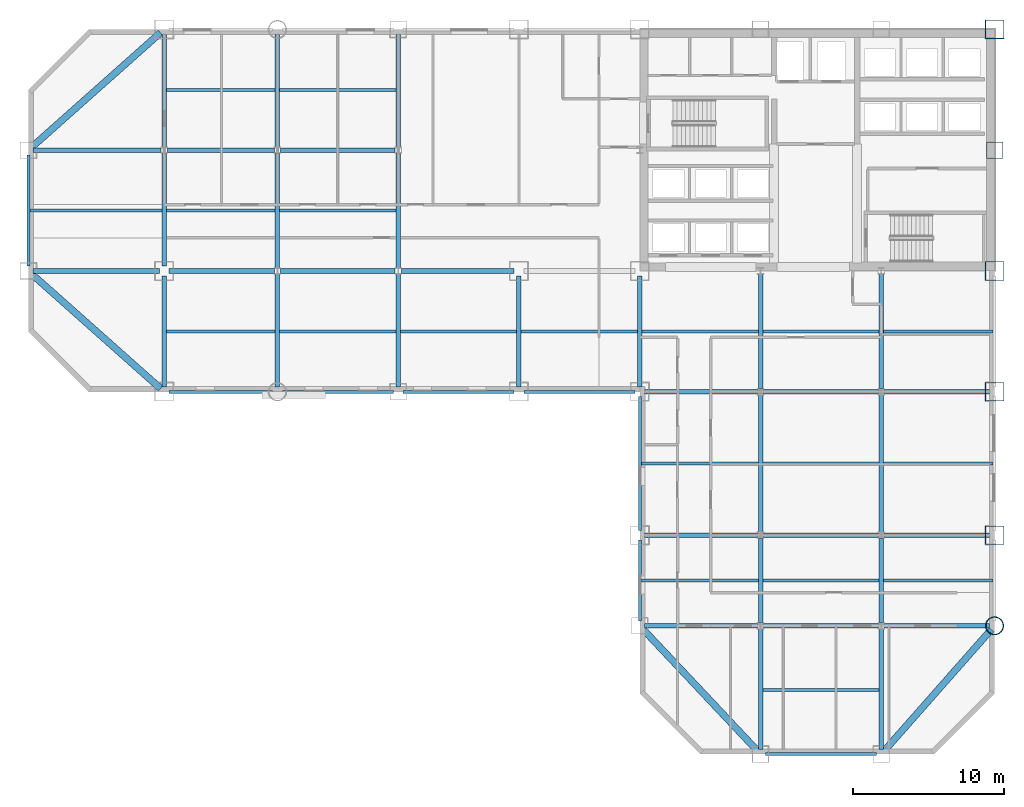
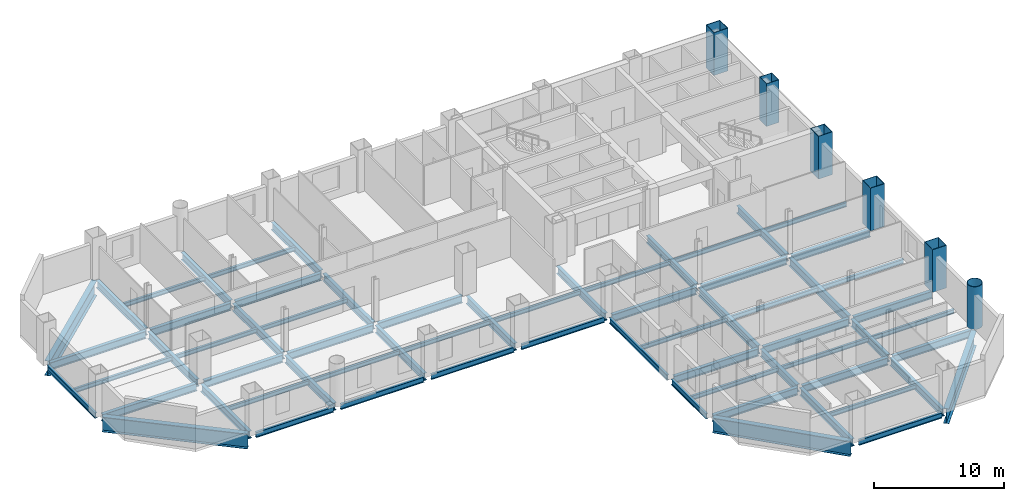
# One storey, part 3 of 9: 66 beams, 6 columns.
"""IFC4 building model written with IfcOpenShell, lengths in metres."""

from ifc_helpers import new_model, si_unit, direction, frame, origin, origin_2d, place, context, subcontext, project, spatial, hollow_rectangle, hollow_circle, i_section, extrude, material, material_profile, profile_set, type_object, element, save


model = new_model("IFC4")

# Units and contexts
model_context = context("Model", 3, precision=1e-05, world=origin(), true_north=direction((0.0, 1.0)))
body_context = subcontext(model_context, "Body", "Model", "MODEL_VIEW")
ifc_project = project(units=[si_unit("LENGTHUNIT", "METRE"), si_unit("AREAUNIT", "SQUARE_METRE"), si_unit("VOLUMEUNIT", "CUBIC_METRE"), si_unit("PLANEANGLEUNIT", "RADIAN"), si_unit("MASSUNIT", "GRAM", prefix="KILO")], contexts=[model_context])

# Site, building, storey
site_placement = place(None, origin())
site = spatial("IfcSite", under=ifc_project, at=site_placement, CompositionType="ELEMENT")
building_placement = place(site_placement, origin())
building = spatial("IfcBuilding", under=site, at=building_placement, Name="Qianrong Seaharbour Tower", CompositionType="ELEMENT")
storey_placement = place(building_placement, frame((0.0, 0.0, 40.199951171875)))
storey = spatial("IfcBuildingStorey", under=building, at=storey_placement, Name="L09", CompositionType="ELEMENT", Elevation=40.199951171875)

# Columns
ifc_material_1 = material(Name="Structural steel SN490B", Category="steel")
ifc_material_profile_1 = material_profile(ifc_material_1, hollow_rectangle(XDim=1.25, YDim=1.25, WallThickness=0.044921875, at=origin_2d()), Name="BOX1250x1250x45")
ifc_profile_set_1 = profile_set([ifc_material_profile_1], Name="Structural steel SN490B")
column_type_1 = type_object("IfcColumnType", Name="COL-CFT-1250", PredefinedType="COLUMN", material=ifc_profile_set_1)
for number, where, z_axis, x_axis, name in (
    (1, (64.0, 18.5, 0.0), (0.0, 0.0, 1.0), (1.0, 0.0, 0.0), "L09 Column MC-2 at G9/GD"),
    (2, (64.0, 28.0, 0.0), (0.0, 0.0, 1.0), (1.0, 0.0, 0.0), "L09 Column MC-2 at G9/GE"),
    (3, (64.0, 36.0, 0.0), (0.0, 0.0, 1.0), (1.0, 0.0, 0.0), "L09 Column MC-2 at G9/GF"),
    (4, (64.0, 52.0, 0.0), (0.0, 0.0, 1.0), (1.0, 0.0, 0.0), "L09 Column MC-2 at G9/GH"),
):
    element("IfcColumn", number, at=place(storey_placement, frame(where, z_axis=z_axis, x_axis=x_axis)), inside=storey, type_object=column_type_1, Name=name, PredefinedType="COLUMN", context=body_context, shape_type="SweptSolid", body=[
        extrude(hollow_rectangle(XDim=1.25, YDim=1.25, WallThickness=0.044921875, at=origin_2d()), origin(), (0.0, 0.0, 1.0), 4.0),
    ])
ifc_material_profile_2 = material_profile(ifc_material_1, hollow_circle(Radius=0.60009765625, WallThickness=0.0400390625, at=origin_2d()), Name="CHS1200x40")
ifc_profile_set_2 = profile_set([ifc_material_profile_2], Name="Structural steel SN490B")
column_type_2 = type_object("IfcColumnType", Name="COL-CHS-1200", PredefinedType="COLUMN", material=ifc_profile_set_2)
column_1_placement = place(storey_placement, frame((64.0, 12.5, 0.0), z_axis=(0.0, 0.0, 1.0), x_axis=(1.0, 0.0, 0.0)))
element("IfcColumn", 5, at=column_1_placement, inside=storey, type_object=column_type_2, Name="L09 Column CC-1 at G9/GC", PredefinedType="COLUMN", context=body_context, shape_type="SweptSolid", body=[
    extrude(hollow_circle(Radius=0.60009765625, WallThickness=0.0400390625, at=origin_2d()), origin(), (0.0, 0.0, 1.0), 4.0),
])
ifc_material_profile_3 = material_profile(ifc_material_1, hollow_rectangle(XDim=1.10009765625, YDim=1.10009765625, WallThickness=0.0400390625, at=origin_2d()), Name="BOX1100x1100x40")
ifc_profile_set_3 = profile_set([ifc_material_profile_3], Name="Structural steel SN490B")
column_type_3 = type_object("IfcColumnType", Name="COL-PER-1100", PredefinedType="COLUMN", material=ifc_profile_set_3)
column_2_placement = place(storey_placement, frame((64.0, 44.0, 0.0), z_axis=(0.0, 0.0, 1.0), x_axis=(1.0, 0.0, 0.0)))
element("IfcColumn", 6, at=column_2_placement, inside=storey, type_object=column_type_3, Name="L09 Column PC-1 at G9/GG", PredefinedType="COLUMN", context=body_context, shape_type="SweptSolid", body=[
    extrude(hollow_rectangle(XDim=1.10009765625, YDim=1.10009765625, WallThickness=0.0400390625, at=origin_2d()), origin(), (0.0, 0.0, 1.0), 4.0),
])

# Beams
ifc_material_profile_4 = material_profile(ifc_material_1, i_section(OverallWidth=0.300048828125, OverallDepth=0.699951171875, WebThickness=0.012939453125, FlangeThickness=0.02392578125, FilletRadius=0.02587890625, at=origin_2d()), Name="H700x300x13x24")
ifc_profile_set_4 = profile_set([ifc_material_profile_4], Name="Structural steel SN490B")
beam_type_1 = type_object("IfcBeamType", Name="BM-G-700", PredefinedType="BEAM", material=ifc_profile_set_4)
beam_1_placement = place(storey_placement, frame((40.820068359375, 12.5, -0.599853515625), z_axis=(1.0, 0.0, 0.0), x_axis=(0.0, 1.0, 0.0)))
element("IfcBeam", 7, at=beam_1_placement, inside=storey, type_object=beam_type_1, Name="L09 Primary Girder GC G6-G7", PredefinedType="BEAM", context=body_context, shape_type="SweptSolid", body=[
    extrude(i_section(OverallWidth=0.300048828125, OverallDepth=0.699951171875, WebThickness=0.012939453125, FlangeThickness=0.02392578125, FilletRadius=0.02587890625, at=origin_2d()), origin(), (0.0, 0.0, 1.0), 7.476318359375),
])
beam_2_placement = place(storey_placement, frame((48.70361328125, 12.5, -0.599853515625), z_axis=(1.0, 0.0, 0.0), x_axis=(0.0, 1.0, 0.0)))
element("IfcBeam", 8, at=beam_2_placement, inside=storey, type_object=beam_type_1, Name="L09 Primary Girder GC G7-G8", PredefinedType="BEAM", context=body_context, shape_type="SweptSolid", body=[
    extrude(i_section(OverallWidth=0.300048828125, OverallDepth=0.699951171875, WebThickness=0.012939453125, FlangeThickness=0.02392578125, FilletRadius=0.02587890625, at=origin_2d()), origin(), (0.0, 0.0, 1.0), 7.5927734375),
])
beam_3_placement = place(storey_placement, frame((56.70361328125, 12.5, -0.599853515625), z_axis=(1.0, 0.0, 0.0), x_axis=(0.0, 1.0, 0.0)))
element("IfcBeam", 9, at=beam_3_placement, inside=storey, type_object=beam_type_1, Name="L09 Primary Girder GC G8-G9", PredefinedType="BEAM", context=body_context, shape_type="SweptSolid", body=[
    extrude(i_section(OverallWidth=0.300048828125, OverallDepth=0.699951171875, WebThickness=0.012939453125, FlangeThickness=0.02392578125, FilletRadius=0.02587890625, at=origin_2d()), origin(), (0.0, 0.0, 1.0), 6.976318359375),
])
beam_4_placement = place(storey_placement, frame((40.820068359375, 18.5, -0.599853515625), z_axis=(1.0, 0.0, 0.0), x_axis=(0.0, 1.0, 0.0)))
element("IfcBeam", 10, at=beam_4_placement, inside=storey, type_object=beam_type_1, Name="L09 Primary Girder GD G6-G7", PredefinedType="BEAM", context=body_context, shape_type="SweptSolid", body=[
    extrude(i_section(OverallWidth=0.300048828125, OverallDepth=0.699951171875, WebThickness=0.012939453125, FlangeThickness=0.02392578125, FilletRadius=0.02587890625, at=origin_2d()), origin(), (0.0, 0.0, 1.0), 7.476318359375),
])
beam_5_placement = place(storey_placement, frame((48.70361328125, 18.5, -0.599853515625), z_axis=(1.0, 0.0, 0.0), x_axis=(0.0, 1.0, 0.0)))
element("IfcBeam", 11, at=beam_5_placement, inside=storey, type_object=beam_type_1, Name="L09 Primary Girder GD G7-G8", PredefinedType="BEAM", context=body_context, shape_type="SweptSolid", body=[
    extrude(i_section(OverallWidth=0.300048828125, OverallDepth=0.699951171875, WebThickness=0.012939453125, FlangeThickness=0.02392578125, FilletRadius=0.02587890625, at=origin_2d()), origin(), (0.0, 0.0, 1.0), 7.5927734375),
])
beam_6_placement = place(storey_placement, frame((56.70361328125, 18.5, -0.599853515625), z_axis=(1.0, 0.0, 0.0), x_axis=(0.0, 1.0, 0.0)))
element("IfcBeam", 12, at=beam_6_placement, inside=storey, type_object=beam_type_1, Name="L09 Primary Girder GD G8-G9", PredefinedType="BEAM", context=body_context, shape_type="SweptSolid", body=[
    extrude(i_section(OverallWidth=0.300048828125, OverallDepth=0.699951171875, WebThickness=0.012939453125, FlangeThickness=0.02392578125, FilletRadius=0.02587890625, at=origin_2d()), origin(), (0.0, 0.0, 1.0), 6.976318359375),
])
beam_7_placement = place(storey_placement, frame((40.820068359375, 28.0, -0.599853515625), z_axis=(1.0, 0.0, 0.0), x_axis=(0.0, 1.0, 0.0)))
element("IfcBeam", 13, at=beam_7_placement, inside=storey, type_object=beam_type_1, Name="L09 Primary Girder GE G6-G7", PredefinedType="BEAM", context=body_context, shape_type="SweptSolid", body=[
    extrude(i_section(OverallWidth=0.300048828125, OverallDepth=0.699951171875, WebThickness=0.012939453125, FlangeThickness=0.02392578125, FilletRadius=0.02587890625, at=origin_2d()), origin(), (0.0, 0.0, 1.0), 7.476318359375),
])
beam_8_placement = place(storey_placement, frame((48.70361328125, 28.0, -0.599853515625), z_axis=(1.0, 0.0, 0.0), x_axis=(0.0, 1.0, 0.0)))
element("IfcBeam", 14, at=beam_8_placement, inside=storey, type_object=beam_type_1, Name="L09 Primary Girder GE G7-G8", PredefinedType="BEAM", context=body_context, shape_type="SweptSolid", body=[
    extrude(i_section(OverallWidth=0.300048828125, OverallDepth=0.699951171875, WebThickness=0.012939453125, FlangeThickness=0.02392578125, FilletRadius=0.02587890625, at=origin_2d()), origin(), (0.0, 0.0, 1.0), 7.5927734375),
])
beam_9_placement = place(storey_placement, frame((56.70361328125, 28.0, -0.599853515625), z_axis=(1.0, 0.0, 0.0), x_axis=(0.0, 1.0, 0.0)))
element("IfcBeam", 15, at=beam_9_placement, inside=storey, type_object=beam_type_1, Name="L09 Primary Girder GE G8-G9", PredefinedType="BEAM", context=body_context, shape_type="SweptSolid", body=[
    extrude(i_section(OverallWidth=0.300048828125, OverallDepth=0.699951171875, WebThickness=0.012939453125, FlangeThickness=0.02392578125, FilletRadius=0.02587890625, at=origin_2d()), origin(), (0.0, 0.0, 1.0), 6.976318359375),
])
beam_10_placement = place(storey_placement, frame((0.320068359375, 36.0, -0.599853515625), z_axis=(1.0, 0.0, 0.0), x_axis=(0.0, 1.0, 0.0)))
element("IfcBeam", 16, at=beam_10_placement, inside=storey, type_object=beam_type_1, Name="L09 Primary Girder GF G1-G2", PredefinedType="BEAM", context=body_context, shape_type="SweptSolid", body=[
    extrude(i_section(OverallWidth=0.300048828125, OverallDepth=0.699951171875, WebThickness=0.012939453125, FlangeThickness=0.02392578125, FilletRadius=0.02587890625, at=origin_2d()), origin(), (0.0, 0.0, 1.0), 8.35986328125),
])
beam_11_placement = place(storey_placement, frame((9.320068359375, 36.0, -0.599853515625), z_axis=(1.0, 0.0, 0.0), x_axis=(0.0, 1.0, 0.0)))
element("IfcBeam", 17, at=beam_11_placement, inside=storey, type_object=beam_type_1, Name="L09 Primary Girder GF G2-G3", PredefinedType="BEAM", context=body_context, shape_type="SweptSolid", body=[
    extrude(i_section(OverallWidth=0.300048828125, OverallDepth=0.699951171875, WebThickness=0.012939453125, FlangeThickness=0.02392578125, FilletRadius=0.02587890625, at=origin_2d()), origin(), (0.0, 0.0, 1.0), 6.976318359375),
])
beam_12_placement = place(storey_placement, frame((16.70361328125, 36.0, -0.599853515625), z_axis=(1.0, 0.0, 0.0), x_axis=(0.0, 1.0, 0.0)))
element("IfcBeam", 18, at=beam_12_placement, inside=storey, type_object=beam_type_1, Name="L09 Primary Girder GF G3-G4", PredefinedType="BEAM", context=body_context, shape_type="SweptSolid", body=[
    extrude(i_section(OverallWidth=0.300048828125, OverallDepth=0.699951171875, WebThickness=0.012939453125, FlangeThickness=0.02392578125, FilletRadius=0.02587890625, at=origin_2d()), origin(), (0.0, 0.0, 1.0), 7.5927734375),
])
beam_13_placement = place(storey_placement, frame((24.70361328125, 36.0, -0.599853515625), z_axis=(1.0, 0.0, 0.0), x_axis=(0.0, 1.0, 0.0)))
element("IfcBeam", 19, at=beam_13_placement, inside=storey, type_object=beam_type_1, Name="L09 Primary Girder GF G4-G5", PredefinedType="BEAM", context=body_context, shape_type="SweptSolid", body=[
    extrude(i_section(OverallWidth=0.300048828125, OverallDepth=0.699951171875, WebThickness=0.012939453125, FlangeThickness=0.02392578125, FilletRadius=0.02587890625, at=origin_2d()), origin(), (0.0, 0.0, 1.0), 7.476318359375),
])
beam_14_placement = place(storey_placement, frame((0.320068359375, 44.0, -0.599853515625), z_axis=(1.0, 0.0, 0.0), x_axis=(0.0, 1.0, 0.0)))
element("IfcBeam", 20, at=beam_14_placement, inside=storey, type_object=beam_type_1, Name="L09 Primary Girder GG G1-G2", PredefinedType="BEAM", context=body_context, shape_type="SweptSolid", body=[
    extrude(i_section(OverallWidth=0.300048828125, OverallDepth=0.699951171875, WebThickness=0.012939453125, FlangeThickness=0.02392578125, FilletRadius=0.02587890625, at=origin_2d()), origin(), (0.0, 0.0, 1.0), 8.476318359375),
])
beam_15_placement = place(storey_placement, frame((9.20361328125, 44.0, -0.599853515625), z_axis=(1.0, 0.0, 0.0), x_axis=(0.0, 1.0, 0.0)))
element("IfcBeam", 21, at=beam_15_placement, inside=storey, type_object=beam_type_1, Name="L09 Primary Girder GG G2-G3", PredefinedType="BEAM", context=body_context, shape_type="SweptSolid", body=[
    extrude(i_section(OverallWidth=0.300048828125, OverallDepth=0.699951171875, WebThickness=0.012939453125, FlangeThickness=0.02392578125, FilletRadius=0.02587890625, at=origin_2d()), origin(), (0.0, 0.0, 1.0), 7.0927734375),
])
beam_16_placement = place(storey_placement, frame((16.70361328125, 44.0, -0.599853515625), z_axis=(1.0, 0.0, 0.0), x_axis=(0.0, 1.0, 0.0)))
element("IfcBeam", 22, at=beam_16_placement, inside=storey, type_object=beam_type_1, Name="L09 Primary Girder GG G3-G4", PredefinedType="BEAM", context=body_context, shape_type="SweptSolid", body=[
    extrude(i_section(OverallWidth=0.300048828125, OverallDepth=0.699951171875, WebThickness=0.012939453125, FlangeThickness=0.02392578125, FilletRadius=0.02587890625, at=origin_2d()), origin(), (0.0, 0.0, 1.0), 7.5927734375),
])
beam_17_placement = place(storey_placement, frame((9.0, 28.320068359375, -0.599853515625), z_axis=(0.0, 1.0, 0.0), x_axis=(-1.0, 0.0, 0.0)))
element("IfcBeam", 23, at=beam_17_placement, inside=storey, type_object=beam_type_1, Name="L09 Primary Girder G2 GE-GF", PredefinedType="BEAM", context=body_context, shape_type="SweptSolid", body=[
    extrude(i_section(OverallWidth=0.300048828125, OverallDepth=0.699951171875, WebThickness=0.012939453125, FlangeThickness=0.02392578125, FilletRadius=0.02587890625, at=origin_2d()), origin(), (0.0, 0.0, 1.0), 7.35986328125),
])
for number, where, z_axis, x_axis, name in (
    (24, (9.0, 36.320068359375, -0.599853515625), (0.0, 1.0, 0.0), (-1.0, 0.0, 0.0), "L09 Primary Girder G2 GF-GG"),
    (25, (9.0, 44.214111328125, -0.599853515625), (0.0, 1.0, 0.0), (-1.0, 0.0, 0.0), "L09 Primary Girder G2 GG-GH"),
    (26, (16.5, 28.320068359375, -0.599853515625), (0.0, 1.0, 0.0), (-1.0, 0.0, 0.0), "L09 Primary Girder G3 GE-GF"),
):
    element("IfcBeam", number, at=place(storey_placement, frame(where, z_axis=z_axis, x_axis=x_axis)), inside=storey, type_object=beam_type_1, Name=name, PredefinedType="BEAM", context=body_context, shape_type="SweptSolid", body=[
        extrude(i_section(OverallWidth=0.300048828125, OverallDepth=0.699951171875, WebThickness=0.012939453125, FlangeThickness=0.02392578125, FilletRadius=0.02587890625, at=origin_2d()), origin(), (0.0, 0.0, 1.0), 7.4658203125),
    ])
beam_18_placement = place(storey_placement, frame((16.5, 36.214111328125, -0.599853515625), z_axis=(0.0, 1.0, 0.0), x_axis=(-1.0, 0.0, 0.0)))
element("IfcBeam", 27, at=beam_18_placement, inside=storey, type_object=beam_type_1, Name="L09 Primary Girder G3 GF-GG", PredefinedType="BEAM", context=body_context, shape_type="SweptSolid", body=[
    extrude(i_section(OverallWidth=0.300048828125, OverallDepth=0.699951171875, WebThickness=0.012939453125, FlangeThickness=0.02392578125, FilletRadius=0.02587890625, at=origin_2d()), origin(), (0.0, 0.0, 1.0), 7.57177734375),
])
for number, where, z_axis, x_axis, name in (
    (28, (16.5, 44.214111328125, -0.599853515625), (0.0, 1.0, 0.0), (-1.0, 0.0, 0.0), "L09 Primary Girder G3 GG-GH"),
    (29, (24.5, 28.320068359375, -0.599853515625), (0.0, 1.0, 0.0), (-1.0, 0.0, 0.0), "L09 Primary Girder G4 GE-GF"),
):
    element("IfcBeam", number, at=place(storey_placement, frame(where, z_axis=z_axis, x_axis=x_axis)), inside=storey, type_object=beam_type_1, Name=name, PredefinedType="BEAM", context=body_context, shape_type="SweptSolid", body=[
        extrude(i_section(OverallWidth=0.300048828125, OverallDepth=0.699951171875, WebThickness=0.012939453125, FlangeThickness=0.02392578125, FilletRadius=0.02587890625, at=origin_2d()), origin(), (0.0, 0.0, 1.0), 7.4658203125),
    ])
beam_19_placement = place(storey_placement, frame((24.5, 36.214111328125, -0.599853515625), z_axis=(0.0, 1.0, 0.0), x_axis=(-1.0, 0.0, 0.0)))
element("IfcBeam", 30, at=beam_19_placement, inside=storey, type_object=beam_type_1, Name="L09 Primary Girder G4 GF-GG", PredefinedType="BEAM", context=body_context, shape_type="SweptSolid", body=[
    extrude(i_section(OverallWidth=0.300048828125, OverallDepth=0.699951171875, WebThickness=0.012939453125, FlangeThickness=0.02392578125, FilletRadius=0.02587890625, at=origin_2d()), origin(), (0.0, 0.0, 1.0), 7.57177734375),
])
beam_20_placement = place(storey_placement, frame((24.5, 44.214111328125, -0.599853515625), z_axis=(0.0, 1.0, 0.0), x_axis=(-1.0, 0.0, 0.0)))
element("IfcBeam", 31, at=beam_20_placement, inside=storey, type_object=beam_type_1, Name="L09 Primary Girder G4 GG-GH", PredefinedType="BEAM", context=body_context, shape_type="SweptSolid", body=[
    extrude(i_section(OverallWidth=0.300048828125, OverallDepth=0.699951171875, WebThickness=0.012939453125, FlangeThickness=0.02392578125, FilletRadius=0.02587890625, at=origin_2d()), origin(), (0.0, 0.0, 1.0), 7.4658203125),
])
for number, where, z_axis, x_axis, name in (
    (32, (32.5, 28.320068359375, -0.599853515625), (0.0, 1.0, 0.0), (-1.0, 0.0, 0.0), "L09 Primary Girder G5 GE-GF"),
    (33, (40.5, 28.320068359375, -0.599853515625), (0.0, 1.0, 0.0), (-1.0, 0.0, 0.0), "L09 Primary Girder G6 GE-GF"),
):
    element("IfcBeam", number, at=place(storey_placement, frame(where, z_axis=z_axis, x_axis=x_axis)), inside=storey, type_object=beam_type_1, Name=name, PredefinedType="BEAM", context=body_context, shape_type="SweptSolid", body=[
        extrude(i_section(OverallWidth=0.300048828125, OverallDepth=0.699951171875, WebThickness=0.012939453125, FlangeThickness=0.02392578125, FilletRadius=0.02587890625, at=origin_2d()), origin(), (0.0, 0.0, 1.0), 7.35986328125),
    ])
beam_21_placement = place(storey_placement, frame((48.5, 4.320068359375, -0.599853515625), z_axis=(0.0, 1.0, 0.0), x_axis=(-1.0, 0.0, 0.0)))
element("IfcBeam", 34, at=beam_21_placement, inside=storey, type_object=beam_type_1, Name="L09 Primary Girder G7 GB-GC", PredefinedType="BEAM", context=body_context, shape_type="SweptSolid", body=[
    extrude(i_section(OverallWidth=0.300048828125, OverallDepth=0.699951171875, WebThickness=0.012939453125, FlangeThickness=0.02392578125, FilletRadius=0.02587890625, at=origin_2d()), origin(), (0.0, 0.0, 1.0), 7.9658203125),
])
beam_22_placement = place(storey_placement, frame((48.5, 12.714111328125, -0.599853515625), z_axis=(0.0, 1.0, 0.0), x_axis=(-1.0, 0.0, 0.0)))
element("IfcBeam", 35, at=beam_22_placement, inside=storey, type_object=beam_type_1, Name="L09 Primary Girder G7 GC-GD", PredefinedType="BEAM", context=body_context, shape_type="SweptSolid", body=[
    extrude(i_section(OverallWidth=0.300048828125, OverallDepth=0.699951171875, WebThickness=0.012939453125, FlangeThickness=0.02392578125, FilletRadius=0.02587890625, at=origin_2d()), origin(), (0.0, 0.0, 1.0), 5.57177734375),
])
beam_23_placement = place(storey_placement, frame((48.5, 28.214111328125, -0.599853515625), z_axis=(0.0, 1.0, 0.0), x_axis=(-1.0, 0.0, 0.0)))
element("IfcBeam", 36, at=beam_23_placement, inside=storey, type_object=beam_type_1, Name="L09 Primary Girder G7 GE-GF", PredefinedType="BEAM", context=body_context, shape_type="SweptSolid", body=[
    extrude(i_section(OverallWidth=0.300048828125, OverallDepth=0.699951171875, WebThickness=0.012939453125, FlangeThickness=0.02392578125, FilletRadius=0.02587890625, at=origin_2d()), origin(), (0.0, 0.0, 1.0), 7.57177734375),
])
beam_24_placement = place(storey_placement, frame((56.5, 4.320068359375, -0.599853515625), z_axis=(0.0, 1.0, 0.0), x_axis=(-1.0, 0.0, 0.0)))
element("IfcBeam", 37, at=beam_24_placement, inside=storey, type_object=beam_type_1, Name="L09 Primary Girder G8 GB-GC", PredefinedType="BEAM", context=body_context, shape_type="SweptSolid", body=[
    extrude(i_section(OverallWidth=0.300048828125, OverallDepth=0.699951171875, WebThickness=0.012939453125, FlangeThickness=0.02392578125, FilletRadius=0.02587890625, at=origin_2d()), origin(), (0.0, 0.0, 1.0), 7.9658203125),
])
beam_25_placement = place(storey_placement, frame((56.5, 12.714111328125, -0.599853515625), z_axis=(0.0, 1.0, 0.0), x_axis=(-1.0, 0.0, 0.0)))
element("IfcBeam", 38, at=beam_25_placement, inside=storey, type_object=beam_type_1, Name="L09 Primary Girder G8 GC-GD", PredefinedType="BEAM", context=body_context, shape_type="SweptSolid", body=[
    extrude(i_section(OverallWidth=0.300048828125, OverallDepth=0.699951171875, WebThickness=0.012939453125, FlangeThickness=0.02392578125, FilletRadius=0.02587890625, at=origin_2d()), origin(), (0.0, 0.0, 1.0), 5.57177734375),
])
beam_26_placement = place(storey_placement, frame((56.5, 28.214111328125, -0.599853515625), z_axis=(0.0, 1.0, 0.0), x_axis=(-1.0, 0.0, 0.0)))
element("IfcBeam", 39, at=beam_26_placement, inside=storey, type_object=beam_type_1, Name="L09 Primary Girder G8 GE-GF", PredefinedType="BEAM", context=body_context, shape_type="SweptSolid", body=[
    extrude(i_section(OverallWidth=0.300048828125, OverallDepth=0.699951171875, WebThickness=0.012939453125, FlangeThickness=0.02392578125, FilletRadius=0.02587890625, at=origin_2d()), origin(), (0.0, 0.0, 1.0), 7.57177734375),
])
ifc_material_profile_5 = material_profile(ifc_material_1, i_section(OverallWidth=0.300048828125, OverallDepth=0.800048828125, WebThickness=0.013916015625, FlangeThickness=0.02587890625, FilletRadius=0.028076171875, at=origin_2d()), Name="H800x300x14x26")
ifc_profile_set_5 = profile_set([ifc_material_profile_5], Name="Structural steel SN490B")
beam_type_2 = type_object("IfcBeamType", Name="BM-G-800", PredefinedType="BEAM", material=ifc_profile_set_5)
for number, where, z_axis, x_axis, name in (
    (40, (48.5, 18.714111328125, -0.64990234375), (0.0, 1.0, 0.0), (-1.0, 0.0, 0.0), "L09 Primary Girder G7 GD-GE"),
    (41, (56.5, 18.714111328125, -0.64990234375), (0.0, 1.0, 0.0), (-1.0, 0.0, 0.0), "L09 Primary Girder G8 GD-GE"),
):
    element("IfcBeam", number, at=place(storey_placement, frame(where, z_axis=z_axis, x_axis=x_axis)), inside=storey, type_object=beam_type_2, Name=name, PredefinedType="BEAM", context=body_context, shape_type="SweptSolid", body=[
        extrude(i_section(OverallWidth=0.300048828125, OverallDepth=0.800048828125, WebThickness=0.013916015625, FlangeThickness=0.02587890625, FilletRadius=0.028076171875, at=origin_2d()), origin(), (0.0, 0.0, 1.0), 9.07177734375),
    ])
ifc_material_2 = material(Name="Structural steel SN400B", Category="steel")
ifc_material_profile_6 = material_profile(ifc_material_2, i_section(OverallWidth=0.199951171875, OverallDepth=0.39990234375, WebThickness=0.008056640625, FlangeThickness=0.012939453125, FilletRadius=0.01611328125, at=origin_2d()), Name="H400x200x8x13")
ifc_profile_set_6 = profile_set([ifc_material_profile_6], Name="Structural steel SN400B")
beam_type_3 = type_object("IfcBeamType", Name="BM-J-400", PredefinedType="JOIST", material=ifc_profile_set_6)
beam_27_placement = place(storey_placement, frame((0.10009765625, 40.0, -0.449951171875), z_axis=(1.0, 0.0, 0.0), x_axis=(0.0, 1.0, 0.0)))
element("IfcBeam", 42, at=beam_27_placement, inside=storey, type_object=beam_type_3, Name="L09 Composite Floor Joist G1-G2/GF-GG", PredefinedType="JOIST", context=body_context, shape_type="SweptSolid", body=[
    extrude(i_section(OverallWidth=0.199951171875, OverallDepth=0.39990234375, WebThickness=0.008056640625, FlangeThickness=0.012939453125, FilletRadius=0.01611328125, at=origin_2d()), origin(), (0.0, 0.0, 1.0), 8.75),
])
for number, where, z_axis, x_axis, name in (
    (43, (9.14990234375, 32.0, -0.449951171875), (1.0, 0.0, 0.0), (0.0, 1.0, 0.0), "L09 Composite Floor Joist G2-G3/GE-GF"),
    (44, (9.14990234375, 40.0, -0.449951171875), (1.0, 0.0, 0.0), (0.0, 1.0, 0.0), "L09 Composite Floor Joist G2-G3/GF-GG"),
    (45, (9.14990234375, 48.0, -0.449951171875), (1.0, 0.0, 0.0), (0.0, 1.0, 0.0), "L09 Composite Floor Joist G2-G3/GG-GH"),
):
    element("IfcBeam", number, at=place(storey_placement, frame(where, z_axis=z_axis, x_axis=x_axis)), inside=storey, type_object=beam_type_3, Name=name, PredefinedType="JOIST", context=body_context, shape_type="SweptSolid", body=[
        extrude(i_section(OverallWidth=0.199951171875, OverallDepth=0.39990234375, WebThickness=0.008056640625, FlangeThickness=0.012939453125, FilletRadius=0.01611328125, at=origin_2d()), origin(), (0.0, 0.0, 1.0), 7.2001953125),
    ])
for number, where, z_axis, x_axis, name in (
    (46, (16.64990234375, 32.0, -0.449951171875), (1.0, 0.0, 0.0), (0.0, 1.0, 0.0), "L09 Composite Floor Joist G3-G4/GE-GF"),
    (47, (16.64990234375, 40.0, -0.449951171875), (1.0, 0.0, 0.0), (0.0, 1.0, 0.0), "L09 Composite Floor Joist G3-G4/GF-GG"),
    (48, (16.64990234375, 48.0, -0.449951171875), (1.0, 0.0, 0.0), (0.0, 1.0, 0.0), "L09 Composite Floor Joist G3-G4/GG-GH"),
    (49, (24.64990234375, 32.0, -0.449951171875), (1.0, 0.0, 0.0), (0.0, 1.0, 0.0), "L09 Composite Floor Joist G4-G5/GE-GF"),
    (50, (32.64990234375, 32.0, -0.449951171875), (1.0, 0.0, 0.0), (0.0, 1.0, 0.0), "L09 Composite Floor Joist G5-G6/GE-GF"),
):
    element("IfcBeam", number, at=place(storey_placement, frame(where, z_axis=z_axis, x_axis=x_axis)), inside=storey, type_object=beam_type_3, Name=name, PredefinedType="JOIST", context=body_context, shape_type="SweptSolid", body=[
        extrude(i_section(OverallWidth=0.199951171875, OverallDepth=0.39990234375, WebThickness=0.008056640625, FlangeThickness=0.012939453125, FilletRadius=0.01611328125, at=origin_2d()), origin(), (0.0, 0.0, 1.0), 7.7001953125),
    ])
for number, where, z_axis, x_axis, name in (
    (51, (40.60009765625, 15.5, -0.449951171875), (1.0, 0.0, 0.0), (0.0, 1.0, 0.0), "L09 Composite Floor Joist G6-G7/GC-GD"),
    (52, (40.60009765625, 23.25, -0.449951171875), (1.0, 0.0, 0.0), (0.0, 1.0, 0.0), "L09 Composite Floor Joist G6-G7/GD-GE"),
):
    element("IfcBeam", number, at=place(storey_placement, frame(where, z_axis=z_axis, x_axis=x_axis)), inside=storey, type_object=beam_type_3, Name=name, PredefinedType="JOIST", context=body_context, shape_type="SweptSolid", body=[
        extrude(i_section(OverallWidth=0.199951171875, OverallDepth=0.39990234375, WebThickness=0.008056640625, FlangeThickness=0.012939453125, FilletRadius=0.01611328125, at=origin_2d()), origin(), (0.0, 0.0, 1.0), 7.75),
    ])
for number, where, z_axis, x_axis, name in (
    (53, (40.64990234375, 32.0, -0.449951171875), (1.0, 0.0, 0.0), (0.0, 1.0, 0.0), "L09 Composite Floor Joist G6-G7/GE-GF"),
    (54, (48.64990234375, 8.25, -0.449951171875), (1.0, 0.0, 0.0), (0.0, 1.0, 0.0), "L09 Composite Floor Joist G7-G8/GB-GC"),
    (55, (48.64990234375, 15.5, -0.449951171875), (1.0, 0.0, 0.0), (0.0, 1.0, 0.0), "L09 Composite Floor Joist G7-G8/GC-GD"),
    (56, (48.64990234375, 23.25, -0.449951171875), (1.0, 0.0, 0.0), (0.0, 1.0, 0.0), "L09 Composite Floor Joist G7-G8/GD-GE"),
    (57, (48.64990234375, 32.0, -0.449951171875), (1.0, 0.0, 0.0), (0.0, 1.0, 0.0), "L09 Composite Floor Joist G7-G8/GE-GF"),
):
    element("IfcBeam", number, at=place(storey_placement, frame(where, z_axis=z_axis, x_axis=x_axis)), inside=storey, type_object=beam_type_3, Name=name, PredefinedType="JOIST", context=body_context, shape_type="SweptSolid", body=[
        extrude(i_section(OverallWidth=0.199951171875, OverallDepth=0.39990234375, WebThickness=0.008056640625, FlangeThickness=0.012939453125, FilletRadius=0.01611328125, at=origin_2d()), origin(), (0.0, 0.0, 1.0), 7.7001953125),
    ])
for number, where, z_axis, x_axis, name in (
    (58, (56.64990234375, 15.5, -0.449951171875), (1.0, 0.0, 0.0), (0.0, 1.0, 0.0), "L09 Composite Floor Joist G8-G9/GC-GD"),
    (59, (56.64990234375, 23.25, -0.449951171875), (1.0, 0.0, 0.0), (0.0, 1.0, 0.0), "L09 Composite Floor Joist G8-G9/GD-GE"),
    (60, (56.64990234375, 32.0, -0.449951171875), (1.0, 0.0, 0.0), (0.0, 1.0, 0.0), "L09 Composite Floor Joist G8-G9/GE-GF"),
):
    element("IfcBeam", number, at=place(storey_placement, frame(where, z_axis=z_axis, x_axis=x_axis)), inside=storey, type_object=beam_type_3, Name=name, PredefinedType="JOIST", context=body_context, shape_type="SweptSolid", body=[
        extrude(i_section(OverallWidth=0.199951171875, OverallDepth=0.39990234375, WebThickness=0.008056640625, FlangeThickness=0.012939453125, FilletRadius=0.01611328125, at=origin_2d()), origin(), (0.0, 0.0, 1.0), 7.25),
    ])
ifc_material_profile_7 = material_profile(ifc_material_1, i_section(OverallWidth=0.199951171875, OverallDepth=0.5, WebThickness=0.010009765625, FlangeThickness=0.01611328125, FilletRadius=0.02001953125, at=origin_2d()), Name="H500x200x10x16")
ifc_profile_set_7 = profile_set([ifc_material_profile_7], Name="Structural steel SN490B")
beam_type_4 = type_object("IfcBeamType", Name="BM-SP-500", PredefinedType="SPANDREL", material=ifc_profile_set_7)
beam_28_placement = place(storey_placement, frame((48.820068359375, 4.0, -0.5), z_axis=(1.0, 0.0, 0.0), x_axis=(0.0, 1.0, 0.0)))
element("IfcBeam", 61, at=beam_28_placement, inside=storey, type_object=beam_type_4, Name="L09 Spandrel Girder GB G7-G8", PredefinedType="SPANDREL", context=body_context, shape_type="SweptSolid", body=[
    extrude(i_section(OverallWidth=0.199951171875, OverallDepth=0.5, WebThickness=0.010009765625, FlangeThickness=0.01611328125, FilletRadius=0.02001953125, at=origin_2d()), origin(), (0.0, 0.0, 1.0), 7.35986328125),
])
beam_29_placement = place(storey_placement, frame((9.320068359375, 28.0, -0.5), z_axis=(1.0, 0.0, 0.0), x_axis=(0.0, 1.0, 0.0)))
element("IfcBeam", 62, at=beam_29_placement, inside=storey, type_object=beam_type_4, Name="L09 Spandrel Girder GE G2-G3", PredefinedType="SPANDREL", context=body_context, shape_type="SweptSolid", body=[
    extrude(i_section(OverallWidth=0.199951171875, OverallDepth=0.5, WebThickness=0.010009765625, FlangeThickness=0.01611328125, FilletRadius=0.02001953125, at=origin_2d()), origin(), (0.0, 0.0, 1.0), 6.85986328125),
])
for number, where, z_axis, x_axis, name in (
    (63, (16.820068359375, 28.0, -0.5), (1.0, 0.0, 0.0), (0.0, 1.0, 0.0), "L09 Spandrel Girder GE G3-G4"),
    (64, (24.820068359375, 28.0, -0.5), (1.0, 0.0, 0.0), (0.0, 1.0, 0.0), "L09 Spandrel Girder GE G4-G5"),
    (65, (32.820068359375, 28.0, -0.5), (1.0, 0.0, 0.0), (0.0, 1.0, 0.0), "L09 Spandrel Girder GE G5-G6"),
    (66, (0.0, 36.320068359375, -0.5), (0.0, 1.0, 0.0), (-1.0, 0.0, 0.0), "L09 Spandrel Girder G1 GF-GG"),
):
    element("IfcBeam", number, at=place(storey_placement, frame(where, z_axis=z_axis, x_axis=x_axis)), inside=storey, type_object=beam_type_4, Name=name, PredefinedType="SPANDREL", context=body_context, shape_type="SweptSolid", body=[
        extrude(i_section(OverallWidth=0.199951171875, OverallDepth=0.5, WebThickness=0.010009765625, FlangeThickness=0.01611328125, FilletRadius=0.02001953125, at=origin_2d()), origin(), (0.0, 0.0, 1.0), 7.35986328125),
    ])
beam_30_placement = place(storey_placement, frame((40.5, 12.820068359375, -0.5), z_axis=(0.0, 1.0, 0.0), x_axis=(-1.0, 0.0, 0.0)))
element("IfcBeam", 67, at=beam_30_placement, inside=storey, type_object=beam_type_4, Name="L09 Spandrel Girder G6 GC-GD", PredefinedType="SPANDREL", context=body_context, shape_type="SweptSolid", body=[
    extrude(i_section(OverallWidth=0.199951171875, OverallDepth=0.5, WebThickness=0.010009765625, FlangeThickness=0.01611328125, FilletRadius=0.02001953125, at=origin_2d()), origin(), (0.0, 0.0, 1.0), 5.35986328125),
])
beam_31_placement = place(storey_placement, frame((40.5, 18.820068359375, -0.5), z_axis=(0.0, 1.0, 0.0), x_axis=(-1.0, 0.0, 0.0)))
element("IfcBeam", 68, at=beam_31_placement, inside=storey, type_object=beam_type_4, Name="L09 Spandrel Girder G6 GD-GE", PredefinedType="SPANDREL", context=body_context, shape_type="SweptSolid", body=[
    extrude(i_section(OverallWidth=0.199951171875, OverallDepth=0.5, WebThickness=0.010009765625, FlangeThickness=0.01611328125, FilletRadius=0.02001953125, at=origin_2d()), origin(), (0.0, 0.0, 1.0), 8.85986328125),
])
ifc_material_profile_8 = material_profile(ifc_material_1, i_section(OverallWidth=0.449951171875, OverallDepth=1.39990234375, WebThickness=0.02197265625, FlangeThickness=0.0400390625, at=origin_2d()), Name="BH1400x450x22x40")
ifc_profile_set_8 = profile_set([ifc_material_profile_8], Name="Structural steel SN490B")
beam_type_5 = type_object("IfcBeamType", Name="BM-TG-1400", PredefinedType="BEAM", material=ifc_profile_set_8)
for number, where, z_axis, x_axis, name in (
    (69, (8.7607421875, 28.212646484375, -0.949951171875), (-0.747406955841, 0.664366497018, 0.0), (-0.664366497018, -0.747406955841, 0.0), "L09 Chamfer Corner Spandrel Girder G1/GE"),
    (70, (8.7607421875, 51.787353515625, -0.949951171875), (-0.747406955841, -0.664366497018, 0.0), (0.664366497018, -0.747406955841, 0.0), "L09 Chamfer Corner Spandrel Girder G1/GH"),
):
    element("IfcBeam", number, at=place(storey_placement, frame(where, z_axis=z_axis, x_axis=x_axis)), inside=storey, type_object=beam_type_5, Name=name, PredefinedType="BEAM", context=body_context, shape_type="SweptSolid", body=[
        extrude(i_section(OverallWidth=0.449951171875, OverallDepth=1.39990234375, WebThickness=0.02197265625, FlangeThickness=0.0400390625, at=origin_2d()), origin(), (0.0, 0.0, 1.0), 11.4013671875),
    ])
beam_32_placement = place(storey_placement, frame((48.28076171875, 4.23291015625, -0.949951171875), z_axis=(-0.685361938021, 0.728202591256, 0.0), x_axis=(-0.728202591256, -0.685361938021, 0.0)))
element("IfcBeam", 71, at=beam_32_placement, inside=storey, type_object=beam_type_5, Name="L09 Chamfer Corner Spandrel Girder G6/GB", PredefinedType="BEAM", context=body_context, shape_type="SweptSolid", body=[
    extrude(i_section(OverallWidth=0.449951171875, OverallDepth=1.39990234375, WebThickness=0.02197265625, FlangeThickness=0.0400390625, at=origin_2d()), origin(), (0.0, 0.0, 1.0), 11.032958984375),
])
beam_33_placement = place(storey_placement, frame((56.711669921875, 4.239990234375, -0.949951171875), z_axis=(0.661630696334, 0.749829861815, 0.0), x_axis=(-0.749829861815, 0.661630696334, 0.0)))
element("IfcBeam", 72, at=beam_33_placement, inside=storey, type_object=beam_type_5, Name="L09 Chamfer Corner Spandrel Girder G9/GB", PredefinedType="BEAM", context=body_context, shape_type="SweptSolid", body=[
    extrude(i_section(OverallWidth=0.449951171875, OverallDepth=1.39990234375, WebThickness=0.02197265625, FlangeThickness=0.0400390625, at=origin_2d()), origin(), (0.0, 0.0, 1.0), 10.69580078125),
])

save(model, "model.ifc")
